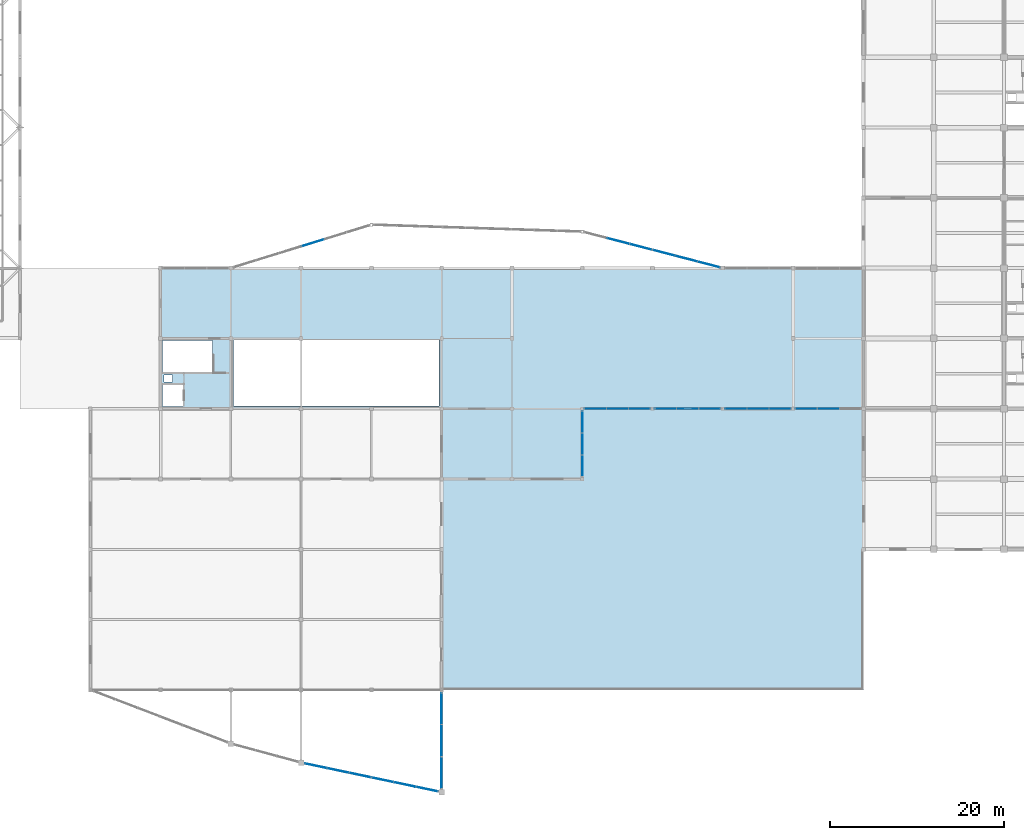
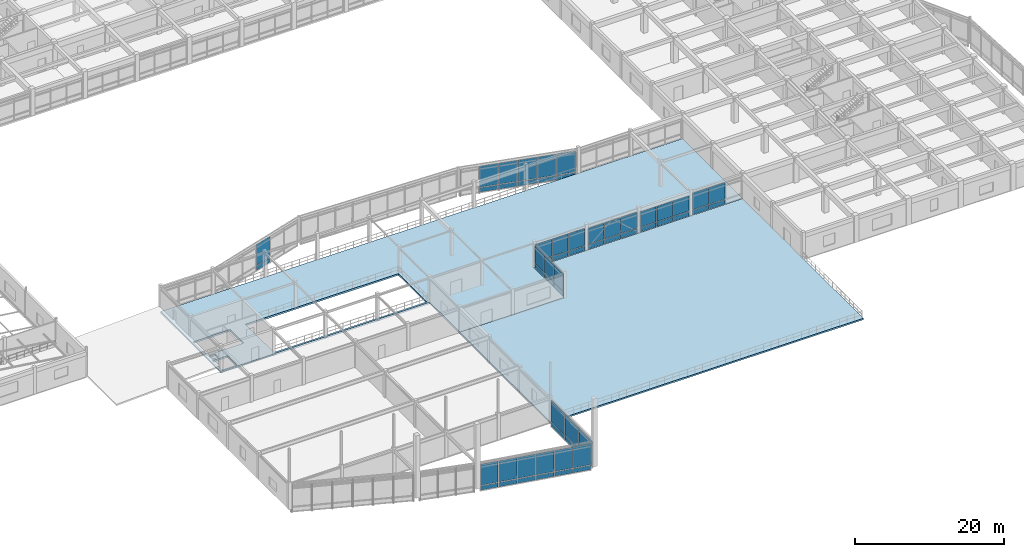
# One storey, part 51 of 89: 58 plates, 2 slabs, 11 elements without a shape of their own.
"""IFC4 building model written with IfcOpenShell, lengths in metres."""

from ifc_helpers import new_model, si_unit, direction, frame, origin, origin_2d, place, context, subcontext, project, spatial, polyline, rectangle, outline, extrude, material, layer, layer_set, type_object, element, aggregate, save


model = new_model("IFC4")

# Units and contexts
model_context = context("Model", 3, precision=1e-05, world=origin(), true_north=direction((0.0, 1.0)))
body_context = subcontext(model_context, "Body", "Model", "MODEL_VIEW")
ifc_project = project(units=[si_unit("LENGTHUNIT", "METRE"), si_unit("AREAUNIT", "SQUARE_METRE"), si_unit("VOLUMEUNIT", "CUBIC_METRE"), si_unit("PLANEANGLEUNIT", "RADIAN"), si_unit("MASSUNIT", "GRAM", prefix="KILO")], contexts=[model_context])

# Site, building, storey
site_placement = place(None, origin())
site = spatial("IfcSite", under=ifc_project, at=site_placement, CompositionType="ELEMENT")
building_placement = place(site_placement, origin())
building = spatial("IfcBuilding", under=site, at=building_placement, Name="Vaudrelin Polytechnic", CompositionType="ELEMENT")
storey_placement = place(building_placement, frame((0.0, 0.0, 9.68994140625)))
storey = spatial("IfcBuildingStorey", under=building, at=storey_placement, Name="L02", CompositionType="ELEMENT", Elevation=9.68994140625)

# Curtain wall, plates
ifc_material_1 = material(Name="Thermally broken anodised aluminium AA 6063-T6 and low-e triple glazing", Category="aluminium")
ifc_layer_1 = layer(ifc_material_1, 0.199951171875)
ifc_layer_set_1 = layer_set([ifc_layer_1], Name="Thermally broken anodised aluminium AA 6063-T6 and low-e triple glazing")
curtain_wall_type = type_object("IfcCurtainWallType", Name="CW-CW-WG", PredefinedType="USERDEFINED", material=ifc_layer_set_1)
curtain_wall_1_placement = place(storey_placement, origin())
curtain_wall_1 = element("IfcCurtainWall", 1, at=curtain_wall_1_placement, inside=storey, type_object=curtain_wall_type, Name="Curtain wall L02 E_RGL_00", ObjectType="CURTAIN WALL", PredefinedType="USERDEFINED")
ifc_material_2 = material(Name="Insulated ceramic-frit spandrel glass panel", Category="glass")
ifc_layer_2 = layer(ifc_material_2, 0.052001953125)
ifc_layer_set_2 = layer_set([ifc_layer_2], Name="Insulated ceramic-frit spandrel glass panel")
plate_type_1 = type_object("IfcPlateType", Name="PLT-GLZ-SPAND", PredefinedType="CURTAIN_PANEL", material=ifc_layer_set_2)
plate_1_placement = place(storey_placement, frame((97.199951171875, 25.798583984375, 0.08984375), z_axis=(0.0, 0.0, 1.0), x_axis=(0.0, 1.0, 0.0)))
plate_1 = element("IfcPlate", 2, at=plate_1_placement, type_object=plate_type_1, Name="E_RGL_00 spandrel panel 1", PredefinedType="CURTAIN_PANEL", context=body_context, shape_type="SweptSolid", body=[
    extrude(rectangle(XDim=2.451416015625, YDim=0.052001953125, at=origin_2d()), origin(), (0.0, 0.0, 1.0), 0.699951171875),
])
plate_2_placement = place(storey_placement, frame((97.199951171875, 28.35009765625, 0.08984375), z_axis=(0.0, 0.0, 1.0), x_axis=(0.0, 1.0, 0.0)))
plate_2 = element("IfcPlate", 3, at=plate_2_placement, type_object=plate_type_1, Name="E_RGL_00 spandrel panel 2", PredefinedType="CURTAIN_PANEL", context=body_context, shape_type="SweptSolid", body=[
    extrude(rectangle(XDim=2.451416015625, YDim=0.052001953125, at=origin_2d()), origin(), (0.0, 0.0, 1.0), 0.699951171875),
])
plate_3_placement = place(storey_placement, frame((97.199951171875, 30.9013671875, 0.08984375), z_axis=(0.0, 0.0, 1.0), x_axis=(0.0, 1.0, 0.0)))
plate_3 = element("IfcPlate", 4, at=plate_3_placement, type_object=plate_type_1, Name="E_RGL_00 spandrel panel 3", PredefinedType="CURTAIN_PANEL", context=body_context, shape_type="SweptSolid", body=[
    extrude(rectangle(XDim=2.451416015625, YDim=0.052001953125, at=origin_2d()), origin(), (0.0, 0.0, 1.0), 0.699951171875),
])

curtain_wall_2_placement = place(storey_placement, origin())
curtain_wall_2 = element("IfcCurtainWall", 5, at=curtain_wall_2_placement, inside=storey, type_object=curtain_wall_type, Name="Curtain wall L02 S_V6E_00", ObjectType="CURTAIN WALL", PredefinedType="USERDEFINED")
plate_4_placement = place(storey_placement, frame((98.69873046875, 32.39990234375, 0.08984375), z_axis=(0.0, 0.0, 1.0), x_axis=(1.0, 0.0, 0.0)))
plate_4 = element("IfcPlate", 6, at=plate_4_placement, type_object=plate_type_1, Name="S_V6E_00 spandrel panel 1", PredefinedType="CURTAIN_PANEL", context=body_context, shape_type="SweptSolid", body=[
    extrude(rectangle(XDim=2.451416015625, YDim=0.052001953125, at=origin_2d()), origin(), (0.0, 0.0, 1.0), 0.699951171875),
])
plate_5_placement = place(storey_placement, frame((101.25, 32.39990234375, 0.08984375), z_axis=(0.0, 0.0, 1.0), x_axis=(1.0, 0.0, 0.0)))
plate_5 = element("IfcPlate", 7, at=plate_5_placement, type_object=plate_type_1, Name="S_V6E_00 spandrel panel 2", PredefinedType="CURTAIN_PANEL", context=body_context, shape_type="SweptSolid", body=[
    extrude(rectangle(XDim=2.451416015625, YDim=0.052001953125, at=origin_2d()), origin(), (0.0, 0.0, 1.0), 0.699951171875),
])
plate_6_placement = place(storey_placement, frame((103.80126953125, 32.39990234375, 0.08984375), z_axis=(0.0, 0.0, 1.0), x_axis=(1.0, 0.0, 0.0)))
plate_6 = element("IfcPlate", 8, at=plate_6_placement, type_object=plate_type_1, Name="S_V6E_00 spandrel panel 3", PredefinedType="CURTAIN_PANEL", context=body_context, shape_type="SweptSolid", body=[
    extrude(rectangle(XDim=2.451416015625, YDim=0.052001953125, at=origin_2d()), origin(), (0.0, 0.0, 1.0), 0.699951171875),
])

curtain_wall_3_placement = place(storey_placement, origin())
curtain_wall_3 = element("IfcCurtainWall", 9, at=curtain_wall_3_placement, inside=storey, type_object=curtain_wall_type, Name="Curtain wall L02 S_V6E_01", ObjectType="CURTAIN WALL", PredefinedType="USERDEFINED")
plate_7_placement = place(storey_placement, frame((106.798583984375, 32.39990234375, 0.08984375), z_axis=(0.0, 0.0, 1.0), x_axis=(1.0, 0.0, 0.0)))
plate_7 = element("IfcPlate", 10, at=plate_7_placement, type_object=plate_type_1, Name="S_V6E_01 spandrel panel 1", PredefinedType="CURTAIN_PANEL", context=body_context, shape_type="SweptSolid", body=[
    extrude(rectangle(XDim=2.451416015625, YDim=0.052001953125, at=origin_2d()), origin(), (0.0, 0.0, 1.0), 0.699951171875),
])
plate_8_placement = place(storey_placement, frame((109.35009765625, 32.39990234375, 0.08984375), z_axis=(0.0, 0.0, 1.0), x_axis=(1.0, 0.0, 0.0)))
plate_8 = element("IfcPlate", 11, at=plate_8_placement, type_object=plate_type_1, Name="S_V6E_01 spandrel panel 2", PredefinedType="CURTAIN_PANEL", context=body_context, shape_type="SweptSolid", body=[
    extrude(rectangle(XDim=2.451416015625, YDim=0.052001953125, at=origin_2d()), origin(), (0.0, 0.0, 1.0), 0.699951171875),
])
plate_9_placement = place(storey_placement, frame((111.9013671875, 32.39990234375, 0.08984375), z_axis=(0.0, 0.0, 1.0), x_axis=(1.0, 0.0, 0.0)))
plate_9 = element("IfcPlate", 12, at=plate_9_placement, type_object=plate_type_1, Name="S_V6E_01 spandrel panel 3", PredefinedType="CURTAIN_PANEL", context=body_context, shape_type="SweptSolid", body=[
    extrude(rectangle(XDim=2.451416015625, YDim=0.052001953125, at=origin_2d()), origin(), (0.0, 0.0, 1.0), 0.699951171875),
])

curtain_wall_4_placement = place(storey_placement, origin())
curtain_wall_4 = element("IfcCurtainWall", 13, at=curtain_wall_4_placement, inside=storey, type_object=curtain_wall_type, Name="Curtain wall L02 S_V6E_02", ObjectType="CURTAIN WALL", PredefinedType="USERDEFINED")
plate_10_placement = place(storey_placement, frame((114.898681640625, 32.39990234375, 0.08984375), z_axis=(0.0, 0.0, 1.0), x_axis=(1.0, 0.0, 0.0)))
plate_10 = element("IfcPlate", 14, at=plate_10_placement, type_object=plate_type_1, Name="S_V6E_02 spandrel panel 1", PredefinedType="CURTAIN_PANEL", context=body_context, shape_type="SweptSolid", body=[
    extrude(rectangle(XDim=2.451416015625, YDim=0.052001953125, at=origin_2d()), origin(), (0.0, 0.0, 1.0), 0.699951171875),
])
plate_11_placement = place(storey_placement, frame((117.449951171875, 32.39990234375, 0.08984375), z_axis=(0.0, 0.0, 1.0), x_axis=(1.0, 0.0, 0.0)))
plate_11 = element("IfcPlate", 15, at=plate_11_placement, type_object=plate_type_1, Name="S_V6E_02 spandrel panel 2", PredefinedType="CURTAIN_PANEL", context=body_context, shape_type="SweptSolid", body=[
    extrude(rectangle(XDim=2.451416015625, YDim=0.052001953125, at=origin_2d()), origin(), (0.0, 0.0, 1.0), 0.699951171875),
])
plate_12_placement = place(storey_placement, frame((120.001220703125, 32.39990234375, 0.08984375), z_axis=(0.0, 0.0, 1.0), x_axis=(1.0, 0.0, 0.0)))
plate_12 = element("IfcPlate", 16, at=plate_12_placement, type_object=plate_type_1, Name="S_V6E_02 spandrel panel 3", PredefinedType="CURTAIN_PANEL", context=body_context, shape_type="SweptSolid", body=[
    extrude(rectangle(XDim=2.451416015625, YDim=0.052001953125, at=origin_2d()), origin(), (0.0, 0.0, 1.0), 0.699951171875),
])

curtain_wall_5_placement = place(storey_placement, origin())
curtain_wall_5 = element("IfcCurtainWall", 17, at=curtain_wall_5_placement, inside=storey, type_object=curtain_wall_type, Name="Curtain wall L02 S_V6E_03", ObjectType="CURTAIN WALL", PredefinedType="USERDEFINED")
plate_13_placement = place(storey_placement, frame((122.998779296875, 32.39990234375, 0.08984375), z_axis=(0.0, 0.0, 1.0), x_axis=(1.0, 0.0, 0.0)))
plate_13 = element("IfcPlate", 18, at=plate_13_placement, type_object=plate_type_1, Name="S_V6E_03 spandrel panel 1", PredefinedType="CURTAIN_PANEL", context=body_context, shape_type="SweptSolid", body=[
    extrude(rectangle(XDim=2.451416015625, YDim=0.052001953125, at=origin_2d()), origin(), (0.0, 0.0, 1.0), 0.699951171875),
])
plate_14_placement = place(storey_placement, frame((125.550048828125, 32.39990234375, 0.08984375), z_axis=(0.0, 0.0, 1.0), x_axis=(1.0, 0.0, 0.0)))
plate_14 = element("IfcPlate", 19, at=plate_14_placement, type_object=plate_type_1, Name="S_V6E_03 spandrel panel 2", PredefinedType="CURTAIN_PANEL", context=body_context, shape_type="SweptSolid", body=[
    extrude(rectangle(XDim=2.451416015625, YDim=0.052001953125, at=origin_2d()), origin(), (0.0, 0.0, 1.0), 0.699951171875),
])

curtain_wall_6_placement = place(storey_placement, origin())
curtain_wall_6 = element("IfcCurtainWall", 20, at=curtain_wall_6_placement, inside=storey, type_object=curtain_wall_type, Name="Curtain wall L02 V2P_3_0", ObjectType="CURTAIN WALL", PredefinedType="USERDEFINED")
plate_15_placement = place(storey_placement, frame((66.490234375, -8.754638671875, -0.5400390625), z_axis=(0.0, 0.0, 1.0), x_axis=(0.978678517459, -0.205398051265, 0.0)))
plate_15 = element("IfcPlate", 21, at=plate_15_placement, type_object=plate_type_1, Name="V2P_3_0 spandrel panel 1", PredefinedType="CURTAIN_PANEL", context=body_context, shape_type="SweptSolid", body=[
    extrude(rectangle(XDim=2.519775390625, YDim=0.052001953125, at=origin_2d()), origin(), (0.0, 0.0, 1.0), 0.699951171875),
])
plate_16_placement = place(storey_placement, frame((69.05419921875, -9.292724609375, -0.5400390625), z_axis=(0.0, 0.0, 1.0), x_axis=(0.978678517459, -0.205398051265, 0.0)))
plate_16 = element("IfcPlate", 22, at=plate_16_placement, type_object=plate_type_1, Name="V2P_3_0 spandrel panel 2", PredefinedType="CURTAIN_PANEL", context=body_context, shape_type="SweptSolid", body=[
    extrude(rectangle(XDim=2.519775390625, YDim=0.052001953125, at=origin_2d()), origin(), (0.0, 0.0, 1.0), 0.699951171875),
])
plate_17_placement = place(storey_placement, frame((71.617919921875, -9.830810546875, -0.5400390625), z_axis=(0.0, 0.0, 1.0), x_axis=(0.978678517459, -0.205398051265, 0.0)))
plate_17 = element("IfcPlate", 23, at=plate_17_placement, type_object=plate_type_1, Name="V2P_3_0 spandrel panel 3", PredefinedType="CURTAIN_PANEL", context=body_context, shape_type="SweptSolid", body=[
    extrude(rectangle(XDim=2.519775390625, YDim=0.052001953125, at=origin_2d()), origin(), (0.0, 0.0, 1.0), 0.699951171875),
])

curtain_wall_7_placement = place(storey_placement, origin())
curtain_wall_7 = element("IfcCurtainWall", 24, at=curtain_wall_7_placement, inside=storey, type_object=curtain_wall_type, Name="Curtain wall L02 V2P_3_1", ObjectType="CURTAIN WALL", PredefinedType="USERDEFINED")
plate_18_placement = place(storey_placement, frame((74.181884765625, -10.368896484375, -0.5400390625), z_axis=(0.0, 0.0, 1.0), x_axis=(0.978678517459, -0.205398051265, 0.0)))
plate_18 = element("IfcPlate", 25, at=plate_18_placement, type_object=plate_type_1, Name="V2P_3_1 spandrel panel 1", PredefinedType="CURTAIN_PANEL", context=body_context, shape_type="SweptSolid", body=[
    extrude(rectangle(XDim=2.519775390625, YDim=0.052001953125, at=origin_2d()), origin(), (0.0, 0.0, 1.0), 0.699951171875),
])
plate_19_placement = place(storey_placement, frame((76.745849609375, -10.906982421875, -0.5400390625), z_axis=(0.0, 0.0, 1.0), x_axis=(0.978678517459, -0.205398051265, 0.0)))
plate_19 = element("IfcPlate", 26, at=plate_19_placement, type_object=plate_type_1, Name="V2P_3_1 spandrel panel 2", PredefinedType="CURTAIN_PANEL", context=body_context, shape_type="SweptSolid", body=[
    extrude(rectangle(XDim=2.519775390625, YDim=0.052001953125, at=origin_2d()), origin(), (0.0, 0.0, 1.0), 0.699951171875),
])
plate_20_placement = place(storey_placement, frame((79.309814453125, -11.4453125, -0.5400390625), z_axis=(0.0, 0.0, 1.0), x_axis=(0.978678517459, -0.205398051265, 0.0)))
plate_20 = element("IfcPlate", 27, at=plate_20_placement, type_object=plate_type_1, Name="V2P_3_1 spandrel panel 3", PredefinedType="CURTAIN_PANEL", context=body_context, shape_type="SweptSolid", body=[
    extrude(rectangle(XDim=2.519775390625, YDim=0.052001953125, at=origin_2d()), origin(), (0.0, 0.0, 1.0), 0.699951171875),
])

curtain_wall_8_placement = place(storey_placement, origin())
curtain_wall_8 = element("IfcCurtainWall", 28, at=curtain_wall_8_placement, inside=storey, type_object=curtain_wall_type, Name="Curtain wall L02 V2P_4_0", ObjectType="CURTAIN WALL", PredefinedType="USERDEFINED")
plate_21_placement = place(storey_placement, frame((81.0, -9.543212890625, -0.5400390625), z_axis=(0.0, 0.0, 1.0), x_axis=(0.0, 1.0, 0.0)))
plate_21 = element("IfcPlate", 29, at=plate_21_placement, type_object=plate_type_1, Name="V2P_4_0 spandrel panel 1", PredefinedType="CURTAIN_PANEL", context=body_context, shape_type="SweptSolid", body=[
    extrude(rectangle(XDim=3.59326171875, YDim=0.052001953125, at=origin_2d()), origin(), (0.0, 0.0, 1.0), 0.699951171875),
])
plate_22_placement = place(storey_placement, frame((81.0, -5.85009765625, -0.5400390625), z_axis=(0.0, 0.0, 1.0), x_axis=(0.0, 1.0, 0.0)))
plate_22 = element("IfcPlate", 30, at=plate_22_placement, type_object=plate_type_1, Name="V2P_4_0 spandrel panel 2", PredefinedType="CURTAIN_PANEL", context=body_context, shape_type="SweptSolid", body=[
    extrude(rectangle(XDim=3.59326171875, YDim=0.052001953125, at=origin_2d()), origin(), (0.0, 0.0, 1.0), 0.699951171875),
])
plate_23_placement = place(storey_placement, frame((81.0, -2.15673828125, -0.5400390625), z_axis=(0.0, 0.0, 1.0), x_axis=(0.0, 1.0, 0.0)))
plate_23 = element("IfcPlate", 31, at=plate_23_placement, type_object=plate_type_1, Name="V2P_4_0 spandrel panel 3", PredefinedType="CURTAIN_PANEL", context=body_context, shape_type="SweptSolid", body=[
    extrude(rectangle(XDim=3.59326171875, YDim=0.052001953125, at=origin_2d()), origin(), (0.0, 0.0, 1.0), 0.699951171875),
])

# Curtain wall, plate
curtain_wall_9_placement = place(storey_placement, origin())
curtain_wall_9 = element("IfcCurtainWall", 32, at=curtain_wall_9_placement, inside=storey, type_object=curtain_wall_type, Name="Curtain wall L02 CT_OR1_1_1", ObjectType="CURTAIN WALL", PredefinedType="USERDEFINED")
plate_24_placement = place(storey_placement, frame((66.141357421875, 51.513916015625, -0.5400390625), z_axis=(0.0, 0.0, 1.0), x_axis=(0.955522441596, 0.294918401608, 0.0)))
plate_24 = element("IfcPlate", 33, at=plate_24_placement, type_object=plate_type_1, Name="CT_OR1_1_1 spandrel panel 1", PredefinedType="CURTAIN_PANEL", context=body_context, shape_type="SweptSolid", body=[
    extrude(rectangle(XDim=2.631591796875, YDim=0.052001953125, at=origin_2d()), origin(), (0.0, 0.0, 1.0), 0.699951171875),
])

# Curtain wall, plates
curtain_wall_10_placement = place(storey_placement, origin())
curtain_wall_10 = element("IfcCurtainWall", 34, at=curtain_wall_10_placement, inside=storey, type_object=curtain_wall_type, Name="Curtain wall L02 CT_OR1_3_0", ObjectType="CURTAIN WALL", PredefinedType="USERDEFINED")
plate_25_placement = place(storey_placement, frame((101.34912109375, 51.72412109375, -0.5400390625), z_axis=(0.0, 0.0, 1.0), x_axis=(0.967997343156, -0.250960442388, 0.0)))
plate_25 = element("IfcPlate", 35, at=plate_25_placement, type_object=plate_type_1, Name="CT_OR1_3_0 spandrel panel 2", PredefinedType="CURTAIN_PANEL", context=body_context, shape_type="SweptSolid", body=[
    extrude(rectangle(XDim=2.595947265625, YDim=0.052001953125, at=origin_2d()), origin(), (0.0, 0.0, 1.0), 0.699951171875),
])
plate_26_placement = place(storey_placement, frame((103.958984375, 51.047607421875, -0.5400390625), z_axis=(0.0, 0.0, 1.0), x_axis=(0.967997343156, -0.250960442388, 0.0)))
plate_26 = element("IfcPlate", 36, at=plate_26_placement, type_object=plate_type_1, Name="CT_OR1_3_0 spandrel panel 3", PredefinedType="CURTAIN_PANEL", context=body_context, shape_type="SweptSolid", body=[
    extrude(rectangle(XDim=2.595947265625, YDim=0.052001953125, at=origin_2d()), origin(), (0.0, 0.0, 1.0), 0.699951171875),
])

curtain_wall_11_placement = place(storey_placement, origin())
curtain_wall_11 = element("IfcCurtainWall", 37, at=curtain_wall_11_placement, inside=storey, type_object=curtain_wall_type, Name="Curtain wall L02 CT_OR1_3_1", ObjectType="CURTAIN WALL", PredefinedType="USERDEFINED")
plate_27_placement = place(storey_placement, frame((106.568603515625, 50.37109375, -0.5400390625), z_axis=(0.0, 0.0, 1.0), x_axis=(0.967998121865, -0.250957438755, 0.0)))
plate_27 = element("IfcPlate", 38, at=plate_27_placement, type_object=plate_type_1, Name="CT_OR1_3_1 spandrel panel 1", PredefinedType="CURTAIN_PANEL", context=body_context, shape_type="SweptSolid", body=[
    extrude(rectangle(XDim=2.595947265625, YDim=0.052001953125, at=origin_2d()), origin(), (0.0, 0.0, 1.0), 0.699951171875),
])
plate_28_placement = place(storey_placement, frame((109.17822265625, 49.694580078125, -0.5400390625), z_axis=(0.0, 0.0, 1.0), x_axis=(0.967998121865, -0.250957438755, 0.0)))
plate_28 = element("IfcPlate", 39, at=plate_28_placement, type_object=plate_type_1, Name="CT_OR1_3_1 spandrel panel 2", PredefinedType="CURTAIN_PANEL", context=body_context, shape_type="SweptSolid", body=[
    extrude(rectangle(XDim=2.595947265625, YDim=0.052001953125, at=origin_2d()), origin(), (0.0, 0.0, 1.0), 0.699951171875),
])
plate_29_placement = place(storey_placement, frame((111.787841796875, 49.01806640625, -0.5400390625), z_axis=(0.0, 0.0, 1.0), x_axis=(0.967998121865, -0.250957438755, 0.0)))
plate_29 = element("IfcPlate", 40, at=plate_29_placement, type_object=plate_type_1, Name="CT_OR1_3_1 spandrel panel 3", PredefinedType="CURTAIN_PANEL", context=body_context, shape_type="SweptSolid", body=[
    extrude(rectangle(XDim=2.595947265625, YDim=0.052001953125, at=origin_2d()), origin(), (0.0, 0.0, 1.0), 0.699951171875),
])

# Plate
ifc_material_3 = material(Name="Triple low-e argon insulated glazing unit", Category="glass")
ifc_layer_3 = layer(ifc_material_3, 0.0439453125)
ifc_layer_set_3 = layer_set([ifc_layer_3], Name="Triple low-e argon insulated glazing unit")
plate_type_2 = type_object("IfcPlateType", Name="PLT-GLZ-TRIPLE", PredefinedType="CURTAIN_PANEL", material=ifc_layer_set_3)
plate_30_placement = place(storey_placement, frame((97.199951171875, 25.798583984375, 0.900146484375), z_axis=(0.0, 0.0, 1.0), x_axis=(0.0, 1.0, 0.0)))
plate_30 = element("IfcPlate", 41, at=plate_30_placement, type_object=plate_type_2, Name="E_RGL_00 vision panel 1", PredefinedType="CURTAIN_PANEL", context=body_context, shape_type="SweptSolid", body=[
    extrude(rectangle(XDim=2.451416015625, YDim=0.0439453125, at=origin_2d()), origin(), (0.0, 0.0, 1.0), 2.8759765625),
])

plate_31_placement = place(storey_placement, frame((97.199951171875, 28.35009765625, 0.900146484375), z_axis=(0.0, 0.0, 1.0), x_axis=(0.0, 1.0, 0.0)))
plate_31 = element("IfcPlate", 42, at=plate_31_placement, type_object=plate_type_2, Name="E_RGL_00 vision panel 2", PredefinedType="CURTAIN_PANEL", context=body_context, shape_type="SweptSolid", body=[
    extrude(rectangle(XDim=2.451416015625, YDim=0.0439453125, at=origin_2d()), origin(), (0.0, 0.0, 1.0), 2.8759765625),
])

plate_32_placement = place(storey_placement, frame((97.199951171875, 30.9013671875, 0.900146484375), z_axis=(0.0, 0.0, 1.0), x_axis=(0.0, 1.0, 0.0)))
plate_32 = element("IfcPlate", 43, at=plate_32_placement, type_object=plate_type_2, Name="E_RGL_00 vision panel 3", PredefinedType="CURTAIN_PANEL", context=body_context, shape_type="SweptSolid", body=[
    extrude(rectangle(XDim=2.451416015625, YDim=0.0439453125, at=origin_2d()), origin(), (0.0, 0.0, 1.0), 2.8759765625),
])

aggregate(curtain_wall_1, [plate_1, plate_30, plate_2, plate_31, plate_3, plate_32])

plate_33_placement = place(storey_placement, frame((98.69873046875, 32.39990234375, 0.89990234375), z_axis=(0.0, 0.0, 1.0), x_axis=(1.0, 0.0, 0.0)))
plate_33 = element("IfcPlate", 44, at=plate_33_placement, type_object=plate_type_2, Name="S_V6E_00 vision panel 1", PredefinedType="CURTAIN_PANEL", context=body_context, shape_type="SweptSolid", body=[
    extrude(rectangle(XDim=2.451416015625, YDim=0.0439453125, at=origin_2d()), origin(), (0.0, 0.0, 1.0), 2.785888671875),
])

plate_34_placement = place(storey_placement, frame((101.25, 32.39990234375, 0.89990234375), z_axis=(0.0, 0.0, 1.0), x_axis=(1.0, 0.0, 0.0)))
plate_34 = element("IfcPlate", 45, at=plate_34_placement, type_object=plate_type_2, Name="S_V6E_00 vision panel 2", PredefinedType="CURTAIN_PANEL", context=body_context, shape_type="SweptSolid", body=[
    extrude(rectangle(XDim=2.451416015625, YDim=0.0439453125, at=origin_2d()), origin(), (0.0, 0.0, 1.0), 2.785888671875),
])

plate_35_placement = place(storey_placement, frame((103.80126953125, 32.39990234375, 0.89990234375), z_axis=(0.0, 0.0, 1.0), x_axis=(1.0, 0.0, 0.0)))
plate_35 = element("IfcPlate", 46, at=plate_35_placement, type_object=plate_type_2, Name="S_V6E_00 vision panel 3", PredefinedType="CURTAIN_PANEL", context=body_context, shape_type="SweptSolid", body=[
    extrude(rectangle(XDim=2.451416015625, YDim=0.0439453125, at=origin_2d()), origin(), (0.0, 0.0, 1.0), 2.785888671875),
])

aggregate(curtain_wall_2, [plate_4, plate_33, plate_5, plate_34, plate_6, plate_35])

plate_36_placement = place(storey_placement, frame((106.798583984375, 32.39990234375, 0.89990234375), z_axis=(0.0, 0.0, 1.0), x_axis=(1.0, 0.0, 0.0)))
plate_36 = element("IfcPlate", 47, at=plate_36_placement, type_object=plate_type_2, Name="S_V6E_01 vision panel 1", PredefinedType="CURTAIN_PANEL", context=body_context, shape_type="SweptSolid", body=[
    extrude(rectangle(XDim=2.451416015625, YDim=0.0439453125, at=origin_2d()), origin(), (0.0, 0.0, 1.0), 2.593017578125),
])

plate_37_placement = place(storey_placement, frame((109.35009765625, 32.39990234375, 0.89990234375), z_axis=(0.0, 0.0, 1.0), x_axis=(1.0, 0.0, 0.0)))
plate_37 = element("IfcPlate", 48, at=plate_37_placement, type_object=plate_type_2, Name="S_V6E_01 vision panel 2", PredefinedType="CURTAIN_PANEL", context=body_context, shape_type="SweptSolid", body=[
    extrude(rectangle(XDim=2.451416015625, YDim=0.0439453125, at=origin_2d()), origin(), (0.0, 0.0, 1.0), 2.593017578125),
])

plate_38_placement = place(storey_placement, frame((111.9013671875, 32.39990234375, 0.89990234375), z_axis=(0.0, 0.0, 1.0), x_axis=(1.0, 0.0, 0.0)))
plate_38 = element("IfcPlate", 49, at=plate_38_placement, type_object=plate_type_2, Name="S_V6E_01 vision panel 3", PredefinedType="CURTAIN_PANEL", context=body_context, shape_type="SweptSolid", body=[
    extrude(rectangle(XDim=2.451416015625, YDim=0.0439453125, at=origin_2d()), origin(), (0.0, 0.0, 1.0), 2.593017578125),
])

aggregate(curtain_wall_3, [plate_7, plate_36, plate_8, plate_37, plate_9, plate_38])

plate_39_placement = place(storey_placement, frame((114.898681640625, 32.39990234375, 0.89990234375), z_axis=(0.0, 0.0, 1.0), x_axis=(1.0, 0.0, 0.0)))
plate_39 = element("IfcPlate", 50, at=plate_39_placement, type_object=plate_type_2, Name="S_V6E_02 vision panel 1", PredefinedType="CURTAIN_PANEL", context=body_context, shape_type="SweptSolid", body=[
    extrude(rectangle(XDim=2.451416015625, YDim=0.0439453125, at=origin_2d()), origin(), (0.0, 0.0, 1.0), 2.491943359375),
])

plate_40_placement = place(storey_placement, frame((117.449951171875, 32.39990234375, 0.89990234375), z_axis=(0.0, 0.0, 1.0), x_axis=(1.0, 0.0, 0.0)))
plate_40 = element("IfcPlate", 51, at=plate_40_placement, type_object=plate_type_2, Name="S_V6E_02 vision panel 2", PredefinedType="CURTAIN_PANEL", context=body_context, shape_type="SweptSolid", body=[
    extrude(rectangle(XDim=2.451416015625, YDim=0.0439453125, at=origin_2d()), origin(), (0.0, 0.0, 1.0), 2.491943359375),
])

plate_41_placement = place(storey_placement, frame((120.001220703125, 32.39990234375, 0.89990234375), z_axis=(0.0, 0.0, 1.0), x_axis=(1.0, 0.0, 0.0)))
plate_41 = element("IfcPlate", 52, at=plate_41_placement, type_object=plate_type_2, Name="S_V6E_02 vision panel 3", PredefinedType="CURTAIN_PANEL", context=body_context, shape_type="SweptSolid", body=[
    extrude(rectangle(XDim=2.451416015625, YDim=0.0439453125, at=origin_2d()), origin(), (0.0, 0.0, 1.0), 2.491943359375),
])

aggregate(curtain_wall_4, [plate_10, plate_39, plate_11, plate_40, plate_12, plate_41])

plate_42_placement = place(storey_placement, frame((122.998779296875, 32.39990234375, 0.89990234375), z_axis=(0.0, 0.0, 1.0), x_axis=(1.0, 0.0, 0.0)))
plate_42 = element("IfcPlate", 53, at=plate_42_placement, type_object=plate_type_2, Name="S_V6E_03 vision panel 1", PredefinedType="CURTAIN_PANEL", context=body_context, shape_type="SweptSolid", body=[
    extrude(rectangle(XDim=2.451416015625, YDim=0.0439453125, at=origin_2d()), origin(), (0.0, 0.0, 1.0), 2.678955078125),
])

plate_43_placement = place(storey_placement, frame((125.550048828125, 32.39990234375, 0.89990234375), z_axis=(0.0, 0.0, 1.0), x_axis=(1.0, 0.0, 0.0)))
plate_43 = element("IfcPlate", 54, at=plate_43_placement, type_object=plate_type_2, Name="S_V6E_03 vision panel 2", PredefinedType="CURTAIN_PANEL", context=body_context, shape_type="SweptSolid", body=[
    extrude(rectangle(XDim=2.451416015625, YDim=0.0439453125, at=origin_2d()), origin(), (0.0, 0.0, 1.0), 2.678955078125),
])

aggregate(curtain_wall_5, [plate_13, plate_42, plate_14, plate_43])

plate_44_placement = place(storey_placement, frame((66.490234375, -8.754638671875, 0.27001953125), z_axis=(0.0, 0.0, 1.0), x_axis=(0.978678517459, -0.205398051265, 0.0)))
plate_44 = element("IfcPlate", 55, at=plate_44_placement, type_object=plate_type_2, Name="V2P_3_0 vision panel 1", PredefinedType="CURTAIN_PANEL", context=body_context, shape_type="SweptSolid", body=[
    extrude(rectangle(XDim=2.519775390625, YDim=0.0439453125, at=origin_2d()), origin(), (0.0, 0.0, 1.0), 3.43994140625),
])

plate_45_placement = place(storey_placement, frame((69.05419921875, -9.292724609375, 0.27001953125), z_axis=(0.0, 0.0, 1.0), x_axis=(0.978678517459, -0.205398051265, 0.0)))
plate_45 = element("IfcPlate", 56, at=plate_45_placement, type_object=plate_type_2, Name="V2P_3_0 vision panel 2", PredefinedType="CURTAIN_PANEL", context=body_context, shape_type="SweptSolid", body=[
    extrude(rectangle(XDim=2.519775390625, YDim=0.0439453125, at=origin_2d()), origin(), (0.0, 0.0, 1.0), 3.43994140625),
])

plate_46_placement = place(storey_placement, frame((71.617919921875, -9.830810546875, 0.27001953125), z_axis=(0.0, 0.0, 1.0), x_axis=(0.978678517459, -0.205398051265, 0.0)))
plate_46 = element("IfcPlate", 57, at=plate_46_placement, type_object=plate_type_2, Name="V2P_3_0 vision panel 3", PredefinedType="CURTAIN_PANEL", context=body_context, shape_type="SweptSolid", body=[
    extrude(rectangle(XDim=2.519775390625, YDim=0.0439453125, at=origin_2d()), origin(), (0.0, 0.0, 1.0), 3.43994140625),
])

aggregate(curtain_wall_6, [plate_15, plate_44, plate_16, plate_45, plate_17, plate_46])

plate_47_placement = place(storey_placement, frame((74.181884765625, -10.368896484375, 0.27001953125), z_axis=(0.0, 0.0, 1.0), x_axis=(0.978678517459, -0.205398051265, 0.0)))
plate_47 = element("IfcPlate", 58, at=plate_47_placement, type_object=plate_type_2, Name="V2P_3_1 vision panel 1", PredefinedType="CURTAIN_PANEL", context=body_context, shape_type="SweptSolid", body=[
    extrude(rectangle(XDim=2.519775390625, YDim=0.0439453125, at=origin_2d()), origin(), (0.0, 0.0, 1.0), 3.43994140625),
])

plate_48_placement = place(storey_placement, frame((76.745849609375, -10.906982421875, 0.27001953125), z_axis=(0.0, 0.0, 1.0), x_axis=(0.978678517459, -0.205398051265, 0.0)))
plate_48 = element("IfcPlate", 59, at=plate_48_placement, type_object=plate_type_2, Name="V2P_3_1 vision panel 2", PredefinedType="CURTAIN_PANEL", context=body_context, shape_type="SweptSolid", body=[
    extrude(rectangle(XDim=2.519775390625, YDim=0.0439453125, at=origin_2d()), origin(), (0.0, 0.0, 1.0), 3.43994140625),
])

plate_49_placement = place(storey_placement, frame((79.309814453125, -11.4453125, 0.27001953125), z_axis=(0.0, 0.0, 1.0), x_axis=(0.978678517459, -0.205398051265, 0.0)))
plate_49 = element("IfcPlate", 60, at=plate_49_placement, type_object=plate_type_2, Name="V2P_3_1 vision panel 3", PredefinedType="CURTAIN_PANEL", context=body_context, shape_type="SweptSolid", body=[
    extrude(rectangle(XDim=2.519775390625, YDim=0.0439453125, at=origin_2d()), origin(), (0.0, 0.0, 1.0), 3.43994140625),
])

aggregate(curtain_wall_7, [plate_18, plate_47, plate_19, plate_48, plate_20, plate_49])

plate_50_placement = place(storey_placement, frame((81.0, -9.543212890625, 0.27001953125), z_axis=(0.0, 0.0, 1.0), x_axis=(0.0, 1.0, 0.0)))
plate_50 = element("IfcPlate", 61, at=plate_50_placement, type_object=plate_type_2, Name="V2P_4_0 vision panel 1", PredefinedType="CURTAIN_PANEL", context=body_context, shape_type="SweptSolid", body=[
    extrude(rectangle(XDim=3.59326171875, YDim=0.0439453125, at=origin_2d()), origin(), (0.0, 0.0, 1.0), 3.43994140625),
])

plate_51_placement = place(storey_placement, frame((81.0, -5.85009765625, 0.27001953125), z_axis=(0.0, 0.0, 1.0), x_axis=(0.0, 1.0, 0.0)))
plate_51 = element("IfcPlate", 62, at=plate_51_placement, type_object=plate_type_2, Name="V2P_4_0 vision panel 2", PredefinedType="CURTAIN_PANEL", context=body_context, shape_type="SweptSolid", body=[
    extrude(rectangle(XDim=3.59326171875, YDim=0.0439453125, at=origin_2d()), origin(), (0.0, 0.0, 1.0), 3.43994140625),
])

plate_52_placement = place(storey_placement, frame((81.0, -2.15673828125, 0.27001953125), z_axis=(0.0, 0.0, 1.0), x_axis=(0.0, 1.0, 0.0)))
plate_52 = element("IfcPlate", 63, at=plate_52_placement, type_object=plate_type_2, Name="V2P_4_0 vision panel 3", PredefinedType="CURTAIN_PANEL", context=body_context, shape_type="SweptSolid", body=[
    extrude(rectangle(XDim=3.59326171875, YDim=0.0439453125, at=origin_2d()), origin(), (0.0, 0.0, 1.0), 3.43994140625),
])

aggregate(curtain_wall_8, [plate_21, plate_50, plate_22, plate_51, plate_23, plate_52])

plate_53_placement = place(storey_placement, frame((66.141357421875, 51.513916015625, 0.27001953125), z_axis=(0.0, 0.0, 1.0), x_axis=(0.955522441596, 0.294918401608, 0.0)))
plate_53 = element("IfcPlate", 64, at=plate_53_placement, type_object=plate_type_2, Name="CT_OR1_1_1 vision panel 1", PredefinedType="CURTAIN_PANEL", context=body_context, shape_type="SweptSolid", body=[
    extrude(rectangle(XDim=2.631591796875, YDim=0.0439453125, at=origin_2d()), origin(), (0.0, 0.0, 1.0), 3.43994140625),
])

aggregate(curtain_wall_9, [plate_24, plate_53])

plate_54_placement = place(storey_placement, frame((101.34912109375, 51.72412109375, 0.27001953125), z_axis=(0.0, 0.0, 1.0), x_axis=(0.967997343156, -0.250960442388, 0.0)))
plate_54 = element("IfcPlate", 65, at=plate_54_placement, type_object=plate_type_2, Name="CT_OR1_3_0 vision panel 2", PredefinedType="CURTAIN_PANEL", context=body_context, shape_type="SweptSolid", body=[
    extrude(rectangle(XDim=2.595947265625, YDim=0.0439453125, at=origin_2d()), origin(), (0.0, 0.0, 1.0), 3.43994140625),
])

plate_55_placement = place(storey_placement, frame((103.958984375, 51.047607421875, 0.27001953125), z_axis=(0.0, 0.0, 1.0), x_axis=(0.967997343156, -0.250960442388, 0.0)))
plate_55 = element("IfcPlate", 66, at=plate_55_placement, type_object=plate_type_2, Name="CT_OR1_3_0 vision panel 3", PredefinedType="CURTAIN_PANEL", context=body_context, shape_type="SweptSolid", body=[
    extrude(rectangle(XDim=2.595947265625, YDim=0.0439453125, at=origin_2d()), origin(), (0.0, 0.0, 1.0), 3.43994140625),
])

aggregate(curtain_wall_10, [plate_25, plate_54, plate_26, plate_55])

plate_56_placement = place(storey_placement, frame((106.568603515625, 50.37109375, 0.27001953125), z_axis=(0.0, 0.0, 1.0), x_axis=(0.967998121865, -0.250957438755, 0.0)))
plate_56 = element("IfcPlate", 67, at=plate_56_placement, type_object=plate_type_2, Name="CT_OR1_3_1 vision panel 1", PredefinedType="CURTAIN_PANEL", context=body_context, shape_type="SweptSolid", body=[
    extrude(rectangle(XDim=2.595947265625, YDim=0.0439453125, at=origin_2d()), origin(), (0.0, 0.0, 1.0), 3.43994140625),
])

plate_57_placement = place(storey_placement, frame((109.17822265625, 49.694580078125, 0.27001953125), z_axis=(0.0, 0.0, 1.0), x_axis=(0.967998121865, -0.250957438755, 0.0)))
plate_57 = element("IfcPlate", 68, at=plate_57_placement, type_object=plate_type_2, Name="CT_OR1_3_1 vision panel 2", PredefinedType="CURTAIN_PANEL", context=body_context, shape_type="SweptSolid", body=[
    extrude(rectangle(XDim=2.595947265625, YDim=0.0439453125, at=origin_2d()), origin(), (0.0, 0.0, 1.0), 3.43994140625),
])

plate_58_placement = place(storey_placement, frame((111.787841796875, 49.01806640625, 0.27001953125), z_axis=(0.0, 0.0, 1.0), x_axis=(0.967998121865, -0.250957438755, 0.0)))
plate_58 = element("IfcPlate", 69, at=plate_58_placement, type_object=plate_type_2, Name="CT_OR1_3_1 vision panel 3", PredefinedType="CURTAIN_PANEL", context=body_context, shape_type="SweptSolid", body=[
    extrude(rectangle(XDim=2.595947265625, YDim=0.0439453125, at=origin_2d()), origin(), (0.0, 0.0, 1.0), 3.43994140625),
])

aggregate(curtain_wall_11, [plate_27, plate_56, plate_28, plate_57, plate_29, plate_58])

# Slabs
ifc_material_4 = material(Name="Concrete 35 MPa", Category="concrete")
ifc_layer_4 = layer(ifc_material_4, 0.280029296875)
ifc_layer_set_4 = layer_set([ifc_layer_4], Name="Concrete 35 MPa")
slab_type_1 = type_object("IfcSlabType", Name="SLB-SL-F280", PredefinedType="FLOOR", material=ifc_layer_set_4)
slab_1_placement = place(storey_placement, frame((0.0, 0.0, -0.280029296875)))
element("IfcSlab", 70, at=slab_1_placement, inside=storey, type_object=slab_type_1, Name="L02 floor slab V6-SKY", PredefinedType="FLOOR", context=body_context, shape_type="SweptSolid", body=[
    extrude(outline(polyline([(48.60009765625, 32.39990234375), (81.0, 32.39990234375), (81.0, 24.300048828125), (97.199951171875, 24.300048828125), (97.199951171875, 32.39990234375), (129.60009765625, 32.39990234375), (129.60009765625, 48.60009765625), (48.60009765625, 48.60009765625), (48.60009765625, 32.39990234375)]), holes=[polyline([(48.85009765625, 36.610107421875), (54.60009765625, 36.610107421875), (54.60009765625, 40.25), (48.85009765625, 40.25), (48.85009765625, 36.610107421875)]), polyline([(48.85009765625, 32.64990234375), (51.179931640625, 32.64990234375), (51.179931640625, 35.1298828125), (48.85009765625, 35.1298828125), (48.85009765625, 32.64990234375)]), polyline([(48.97998046875, 35.47998046875), (49.97998046875, 35.47998046875), (49.97998046875, 36.280029296875), (48.97998046875, 36.280029296875), (48.97998046875, 35.47998046875)]), polyline([(57.0, 32.699951171875), (80.699951171875, 32.699951171875), (80.699951171875, 40.300048828125), (57.0, 40.300048828125), (57.0, 32.699951171875)])]), origin(), (0.0, 0.0, 1.0), 0.280029296875),
])
ifc_layer_5 = layer(ifc_material_4, 0.25)
ifc_layer_set_5 = layer_set([ifc_layer_5], Name="Concrete 35 MPa")
slab_type_2 = type_object("IfcSlabType", Name="SLB-SL-TER250", PredefinedType="FLOOR", material=ifc_layer_set_5)
slab_2_placement = place(storey_placement, frame((0.0, 0.0, -0.25)))
element("IfcSlab", 71, at=slab_2_placement, inside=storey, type_object=slab_type_2, Name="L02 terrace slab V3-GARDEN", PredefinedType="FLOOR", context=body_context, shape_type="SweptSolid", body=[
    extrude(outline(polyline([(81.0, 0.0), (129.60009765625, 0.0), (129.60009765625, 32.39990234375), (97.199951171875, 32.39990234375), (97.199951171875, 24.300048828125), (81.0, 24.300048828125), (81.0, 0.0)])), origin(), (0.0, 0.0, 1.0), 0.25),
])

save(model, "model.ifc")
